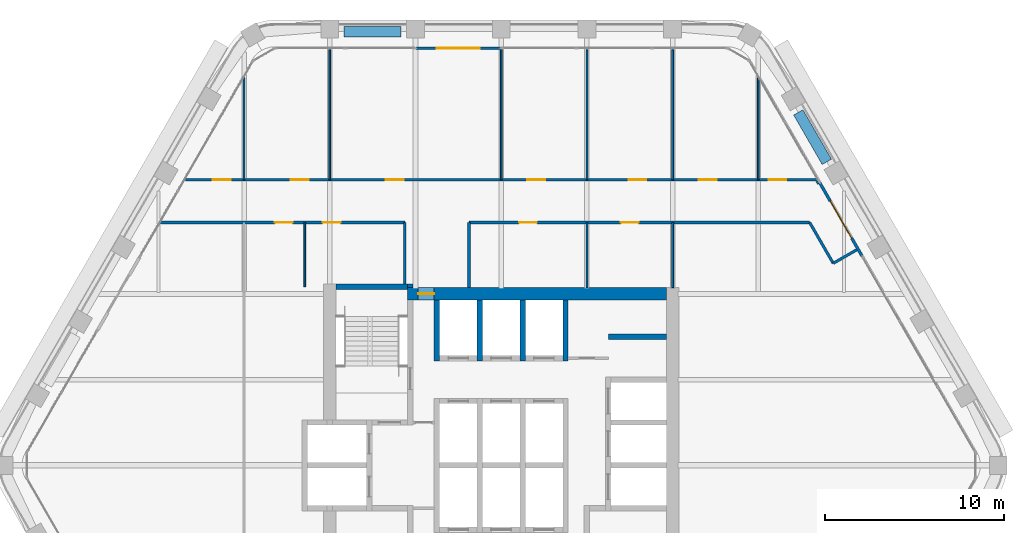
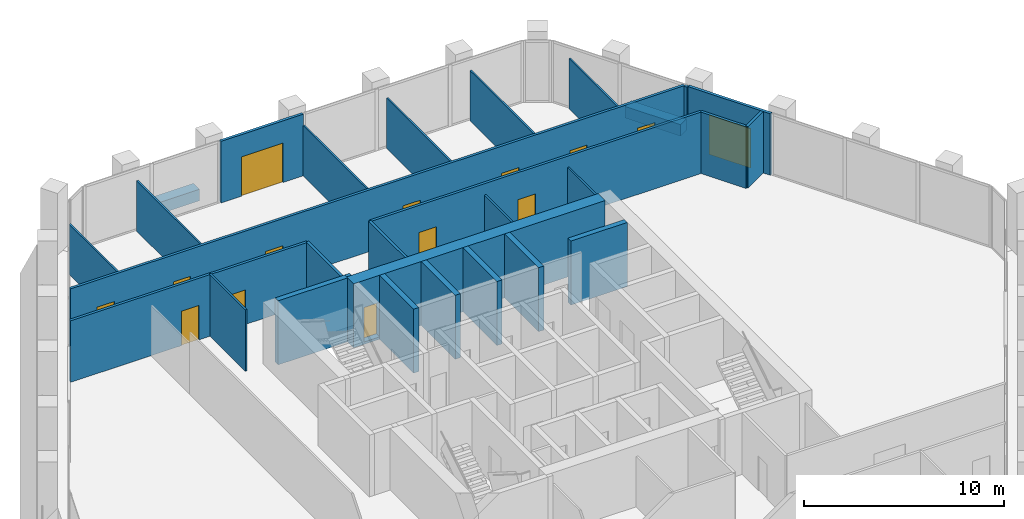
# One storey, part 11 of 15: 29 walls, 14 doors, 14 openings.
"""IFC4 building model written with IfcOpenShell, lengths in metres."""

from ifc_helpers import new_model, si_unit, direction, frame, frame_2d, origin, place, context, subcontext, project, spatial, rectangle, extrude, material, layer, layer_set, type_object, element, fill, save


model = new_model("IFC4")

# Units and contexts
model_context = context("Model", 3, precision=1e-05, world=origin(), true_north=direction((0.0, 1.0)))
body_context = subcontext(model_context, "Body", "Model", "MODEL_VIEW")
ifc_project = project(units=[si_unit("LENGTHUNIT", "METRE"), si_unit("AREAUNIT", "SQUARE_METRE"), si_unit("VOLUMEUNIT", "CUBIC_METRE"), si_unit("PLANEANGLEUNIT", "RADIAN"), si_unit("MASSUNIT", "GRAM", prefix="KILO")], contexts=[model_context])

# Site, building, storey
site_placement = place(None, origin())
site = spatial("IfcSite", under=ifc_project, at=site_placement, CompositionType="ELEMENT")
building_placement = place(site_placement, origin())
building = spatial("IfcBuilding", under=site, at=building_placement, Name="Kolab Exchange Tower", CompositionType="ELEMENT")
storey_placement = place(building_placement, frame((0.0, 0.0, 205.10009765625)))
storey = spatial("IfcBuildingStorey", under=building, at=storey_placement, Name="L44", CompositionType="ELEMENT", Elevation=205.10009765625)

# Wall, opening, door
ifc_material_1 = material(Name="Concrete C60/75", Category="concrete")
ifc_layer_1 = layer(ifc_material_1, 0.699951171875)
ifc_layer_set_1 = layer_set([ifc_layer_1], Name="Concrete C60/75")
wall_type_1 = type_object("IfcWallType", Name="CORE WALL 700 C60/75", PredefinedType="SHEAR", material=ifc_layer_set_1)
wall_1_placement = place(storey_placement, frame((-5.25, 9.60009765625, -0.150146484375), z_axis=(0.0, 0.0, 1.0), x_axis=(1.0, 0.0, 0.0)))
wall_1 = element("IfcWall", 1, at=wall_1_placement, inside=storey, type_object=wall_type_1, Name="wall/L44/core/031", PredefinedType="SHEAR", context=body_context, shape_type="SweptSolid", body=[
    extrude(rectangle(XDim=14.5, YDim=0.699951171875, at=frame_2d((7.25, 0.0))), origin(), (0.0, 0.0, 1.0), 3.900146484375),
])
opening_1_placement = place(wall_1_placement, frame((0.60009765625, 0.0, 0.14990234375)))
opening_1 = element("IfcOpeningElement", 2, at=opening_1_placement, cuts=wall_1, Name="Opening D6-289", PredefinedType="OPENING", context=body_context, shape_type="SweptSolid", body=[
    extrude(rectangle(XDim=0.89990234375, YDim=2.10009765625, at=frame_2d((0.449951171875, 1.050048828125))), frame((0.0, 0.35986328125, 0.0), z_axis=(0.0, -1.0, 0.0), x_axis=(1.0, 0.0, 0.0)), (0.0, 0.0, 1.0), 0.719970703125),
])
ifc_material_2 = material(Name="Steel S235", Category="steel")
door_type_1 = type_object("IfcDoorType", Name="CORE DOOR 900 EI 120", OperationType="SINGLE_SWING_LEFT", PredefinedType="DOOR", material=ifc_material_2)
door_1_placement = place(opening_1_placement, frame((0.89990234375, 0.0, 0.0), z_axis=(0.0, 0.0, 1.0), x_axis=(-1.0, 0.0, 0.0)))
door_1 = element("IfcDoor", 3, at=door_1_placement, inside=storey, type_object=door_type_1, Name="Core lobby door", OperationType="SINGLE_SWING_RIGHT", OverallHeight=2.10009765625, OverallWidth=0.89990234375, PredefinedType="DOOR", context=body_context, shape_type="SweptSolid", body=[
    extrude(rectangle(XDim=0.89990234375, YDim=2.10009765625, at=frame_2d((0.449951171875, 1.050048828125))), frame((0.0, 0.02490234375, 0.0), z_axis=(0.0, -1.0, 0.0), x_axis=(1.0, 0.0, 0.0)), (0.0, 0.0, 1.0), 0.050048828125),
])
fill(opening_1, door_1)

ifc_material_3 = material(Name="Aluminium EN AW-6063 T6", Category="aluminium")
ifc_layer_2 = layer(ifc_material_3, 0.159912109375)
ifc_layer_set_2 = layer_set([ifc_layer_2], Name="Aluminium EN AW-6063 T6")
wall_type_2 = type_object("IfcWallType", Name="DOOR SURROUND WALL 160 ALUMINIUM FRAMED", PredefinedType="PARTITIONING", material=ifc_layer_set_2)
wall_2_placement = place(storey_placement, frame((-4.77001953125, 23.361572265625, 0.0), z_axis=(0.0, 0.0, 1.0), x_axis=(1.0, 0.0, 0.0)))
wall_2 = element("IfcWall", 4, at=wall_2_placement, inside=storey, type_object=wall_type_2, Name="Door surround wall", PredefinedType="PARTITIONING", context=body_context, shape_type="SweptSolid", body=[
    extrude(rectangle(XDim=4.739990234375, YDim=0.159912109375, at=frame_2d((2.3701171875, 0.0))), origin(), (0.0, 0.0, 1.0), 3.75),
])
opening_2_placement = place(wall_2_placement, frame((1.169921875, 0.0, 0.0)))
opening_2 = element("IfcOpeningElement", 5, at=opening_2_placement, cuts=wall_2, Name="Opening GD1-064", PredefinedType="OPENING", context=body_context, shape_type="SweptSolid", body=[
    extrude(rectangle(XDim=2.39990234375, YDim=2.39990234375, at=frame_2d((1.199951171875, 1.199951171875))), frame((0.0, 0.08984375, 0.0), z_axis=(0.0, -1.0, 0.0), x_axis=(1.0, 0.0, 0.0)), (0.0, 0.0, 1.0), 0.179931640625),
])
door_type_2 = type_object("IfcDoorType", Name="LOGGIA SLIDING GLASS DOOR 2400 X 2400", OperationType="DOUBLE_DOOR_SINGLE_SWING", PredefinedType="DOOR", material=ifc_material_3)
door_2_placement = place(opening_2_placement, origin())
door_2 = element("IfcDoor", 6, at=door_2_placement, inside=storey, type_object=door_type_2, Name="Loggia door", OperationType="DOUBLE_DOOR_SLIDING", OverallHeight=2.39990234375, OverallWidth=2.39990234375, PredefinedType="DOOR", context=body_context, shape_type="SweptSolid", body=[
    extrude(rectangle(XDim=2.39990234375, YDim=2.39990234375, at=frame_2d((1.199951171875, 1.199951171875))), frame((0.0, 0.02490234375, 0.0), z_axis=(0.0, -1.0, 0.0), x_axis=(1.0, 0.0, 0.0)), (0.0, 0.0, 1.0), 0.050048828125),
])
fill(opening_2, door_2)

wall_3_placement = place(storey_placement, frame((17.8466796875, 15.811767578125, 0.0), z_axis=(0.0, 0.0, 1.0), x_axis=(0.5000167099, -0.866015756104, 0.0)))
wall_3 = element("IfcWall", 7, at=wall_3_placement, inside=storey, type_object=wall_type_2, Name="Door surround wall", PredefinedType="PARTITIONING", context=body_context, shape_type="SweptSolid", body=[
    extrude(rectangle(XDim=4.739990234375, YDim=0.159912109375, at=frame_2d((2.3701171875, 0.0))), origin(), (0.0, 0.0, 1.0), 3.75),
])
opening_3_placement = place(wall_3_placement, frame((1.169921875, 0.0, 0.0)))
opening_3 = element("IfcOpeningElement", 8, at=opening_3_placement, cuts=wall_3, Name="Opening GD1-065", PredefinedType="OPENING", context=body_context, shape_type="SweptSolid", body=[
    extrude(rectangle(XDim=2.39990234375, YDim=2.39990234375, at=frame_2d((1.199951171875, 1.199951171875))), frame((0.0, 0.08984375, 0.0), z_axis=(0.0, -1.0, 0.0), x_axis=(1.0, 0.0, 0.0)), (0.0, 0.0, 1.0), 0.179931640625),
])
door_3_placement = place(opening_3_placement, origin())
door_3 = element("IfcDoor", 9, at=door_3_placement, inside=storey, type_object=door_type_2, Name="Loggia door", OperationType="DOUBLE_DOOR_SLIDING", OverallHeight=2.39990234375, OverallWidth=2.39990234375, PredefinedType="DOOR", context=body_context, shape_type="SweptSolid", body=[
    extrude(rectangle(XDim=2.39990234375, YDim=2.39990234375, at=frame_2d((1.199951171875, 1.199951171875))), frame((0.0, 0.02490234375, 0.0), z_axis=(0.0, -1.0, 0.0), x_axis=(1.0, 0.0, 0.0)), (0.0, 0.0, 1.0), 0.050048828125),
])
fill(opening_3, door_3)

# Walls
wall_4_placement = place(storey_placement, frame((17.780029296875, 15.772216796875, 0.0), z_axis=(0.0, 0.0, 1.0), x_axis=(-0.499841654076, 0.866116805547, 0.0)))
element("IfcWall", 10, at=wall_4_placement, inside=storey, type_object=wall_type_2, Name="Door surround wall", PredefinedType="PARTITIONING", context=body_context, shape_type="SweptSolid", body=[
    extrude(rectangle(XDim=0.17724609375, YDim=0.159912109375, at=frame_2d((0.088623046875, 0.0))), origin(), (0.0, 0.0, 1.0), 3.75),
])
ifc_material_4 = material(Name="Concrete C50/60", Category="concrete")
ifc_layer_3 = layer(ifc_material_4, 0.300048828125)
ifc_layer_set_3 = layer_set([ifc_layer_3], Name="Concrete C50/60")
wall_type_3 = type_object("IfcWallType", Name="LIFT SHAFT WALL 300 C50/60", PredefinedType="STANDARD", material=ifc_layer_set_3)
wall_5_placement = place(storey_placement, frame((6.0, 7.199951171875, -0.150146484375), z_axis=(0.0, 0.0, 1.0), x_axis=(1.0, 0.0, 0.0)))
element("IfcWall", 11, at=wall_5_placement, inside=storey, type_object=wall_type_3, Name="wall/L44/core/030", PredefinedType="STANDARD", context=body_context, shape_type="SweptSolid", body=[
    extrude(rectangle(XDim=3.25, YDim=0.300048828125, at=frame_2d((1.625, 0.0))), origin(), (0.0, 0.0, 1.0), 3.900146484375),
])
for number, where, z_axis, x_axis, name in (
    (12, (-3.60009765625, 5.85009765625, -0.150146484375), (0.0, 0.0, 1.0), (0.0, 1.0, 0.0), "wall/L44/core/045"),
    (13, (-1.199951171875, 5.85009765625, -0.150146484375), (0.0, 0.0, 1.0), (0.0, 1.0, 0.0), "wall/L44/core/048"),
    (14, (1.199951171875, 5.85009765625, -0.150146484375), (0.0, 0.0, 1.0), (0.0, 1.0, 0.0), "wall/L44/core/051"),
    (15, (3.60009765625, 5.85009765625, -0.150146484375), (0.0, 0.0, 1.0), (0.0, 1.0, 0.0), "wall/L44/core/054"),
):
    element("IfcWall", number, at=place(storey_placement, frame(where, z_axis=z_axis, x_axis=x_axis)), inside=storey, type_object=wall_type_3, Name=name, PredefinedType="STANDARD", context=body_context, shape_type="SweptSolid", body=[
        extrude(rectangle(XDim=3.39990234375, YDim=0.300048828125, at=frame_2d((1.699951171875, 0.0))), origin(), (0.0, 0.0, 1.0), 3.900146484375),
    ])
ifc_material_5 = material(Name="Gypsum board", Category="gypsum")
ifc_layer_4 = layer(ifc_material_5, 0.10009765625)
ifc_layer_set_4 = layer_set([ifc_layer_4], Name="Gypsum board")
wall_type_4 = type_object("IfcWallType", Name="PARTITION 100", PredefinedType="PARTITIONING", material=ifc_layer_set_4)
wall_6_placement = place(storey_placement, frame((14.39990234375, 16.0, 0.0), z_axis=(0.0, 0.0, 1.0), x_axis=(0.0, 1.0, 0.0)))
element("IfcWall", 16, at=wall_6_placement, inside=storey, type_object=wall_type_4, Name="Partition 000", PredefinedType="PARTITIONING", context=body_context, shape_type="SweptSolid", body=[
    extrude(rectangle(XDim=5.701416015625, YDim=0.10009765625, at=frame_2d((2.8505859375, 0.0))), origin(), (0.0, 0.0, 1.0), 3.06591796875),
])
wall_7_placement = place(storey_placement, frame((9.60009765625, 9.949951171875, 0.0), z_axis=(0.0, 0.0, 1.0), x_axis=(0.0, 1.0, 0.0)))
element("IfcWall", 17, at=wall_7_placement, inside=storey, type_object=wall_type_4, Name="Partition 003", PredefinedType="PARTITIONING", context=body_context, shape_type="SweptSolid", body=[
    extrude(rectangle(XDim=3.650146484375, YDim=0.10009765625, at=frame_2d((1.8251953125, 0.0))), origin(), (0.0, 0.0, 1.0), 3.06591796875),
])
wall_8_placement = place(storey_placement, frame((9.60009765625, 16.0, 0.0), z_axis=(0.0, 0.0, 1.0), x_axis=(0.0, 1.0, 0.0)))
element("IfcWall", 18, at=wall_8_placement, inside=storey, type_object=wall_type_4, Name="Partition 004", PredefinedType="PARTITIONING", context=body_context, shape_type="SweptSolid", body=[
    extrude(rectangle(XDim=7.271484375, YDim=0.10009765625, at=frame_2d((3.6357421875, 0.0))), origin(), (0.0, 0.0, 1.0), 3.06591796875),
])
wall_9_placement = place(storey_placement, frame((4.800048828125, 9.949951171875, 0.0), z_axis=(0.0, 0.0, 1.0), x_axis=(0.0, 1.0, 0.0)))
element("IfcWall", 19, at=wall_9_placement, inside=storey, type_object=wall_type_4, Name="Partition 006", PredefinedType="PARTITIONING", context=body_context, shape_type="SweptSolid", body=[
    extrude(rectangle(XDim=3.650146484375, YDim=0.10009765625, at=frame_2d((1.8251953125, 0.0))), origin(), (0.0, 0.0, 1.0), 3.06591796875),
])
wall_10_placement = place(storey_placement, frame((4.800048828125, 16.0, 0.0), z_axis=(0.0, 0.0, 1.0), x_axis=(0.0, 1.0, 0.0)))
element("IfcWall", 20, at=wall_10_placement, inside=storey, type_object=wall_type_4, Name="Partition 007", PredefinedType="PARTITIONING", context=body_context, shape_type="SweptSolid", body=[
    extrude(rectangle(XDim=7.271484375, YDim=0.10009765625, at=frame_2d((3.6357421875, 0.0))), origin(), (0.0, 0.0, 1.0), 3.06591796875),
])
wall_11_placement = place(storey_placement, frame((0.0, 16.0, 0.0), z_axis=(0.0, 0.0, 1.0), x_axis=(0.0, 1.0, 0.0)))
element("IfcWall", 21, at=wall_11_placement, inside=storey, type_object=wall_type_4, Name="Partition 011", PredefinedType="PARTITIONING", context=body_context, shape_type="SweptSolid", body=[
    extrude(rectangle(XDim=7.281494140625, YDim=0.10009765625, at=frame_2d((3.640625, 0.0))), origin(), (0.0, 0.0, 1.0), 3.06591796875),
])
wall_12_placement = place(storey_placement, frame((-9.60009765625, 16.0, 0.0), z_axis=(0.0, 0.0, 1.0), x_axis=(0.0, 1.0, 0.0)))
element("IfcWall", 22, at=wall_12_placement, inside=storey, type_object=wall_type_4, Name="Partition 018", PredefinedType="PARTITIONING", context=body_context, shape_type="SweptSolid", body=[
    extrude(rectangle(XDim=7.271484375, YDim=0.10009765625, at=frame_2d((3.6357421875, 0.0))), origin(), (0.0, 0.0, 1.0), 3.06591796875),
])
wall_13_placement = place(storey_placement, frame((-11.0, 10.0, 0.0), z_axis=(0.0, 0.0, 1.0), x_axis=(0.0, 1.0, 0.0)))
element("IfcWall", 23, at=wall_13_placement, inside=storey, type_object=wall_type_4, Name="Partition 021", PredefinedType="PARTITIONING", context=body_context, shape_type="SweptSolid", body=[
    extrude(rectangle(XDim=3.60009765625, YDim=0.10009765625, at=frame_2d((1.800048828125, 0.0))), origin(), (0.0, 0.0, 1.0), 3.75),
])
wall_14_placement = place(storey_placement, frame((-14.39990234375, 16.0, 0.0), z_axis=(0.0, 0.0, 1.0), x_axis=(0.0, 1.0, 0.0)))
element("IfcWall", 24, at=wall_14_placement, inside=storey, type_object=wall_type_4, Name="Partition 023", PredefinedType="PARTITIONING", context=body_context, shape_type="SweptSolid", body=[
    extrude(rectangle(XDim=5.701416015625, YDim=0.10009765625, at=frame_2d((2.8505859375, 0.0))), origin(), (0.0, 0.0, 1.0), 3.06591796875),
])
ifc_layer_5 = layer(ifc_material_5, 0.14990234375)
ifc_layer_set_5 = layer_set([ifc_layer_5], Name="Gypsum board")
wall_type_5 = type_object("IfcWallType", Name="PARTITION 150 FIRE-RATED", PredefinedType="PARTITIONING", material=ifc_layer_set_5)
wall_15_placement = place(storey_placement, frame((-1.800048828125, 9.949951171875, 0.0), z_axis=(0.0, 0.0, 1.0), x_axis=(0.0, 1.0, 0.0)))
element("IfcWall", 25, at=wall_15_placement, inside=storey, type_object=wall_type_5, Name="Partition 012", PredefinedType="PARTITIONING", context=body_context, shape_type="SweptSolid", body=[
    extrude(rectangle(XDim=3.650146484375, YDim=0.14990234375, at=frame_2d((1.8251953125, 0.0))), origin(), (0.0, 0.0, 1.0), 3.75),
])
wall_16_placement = place(storey_placement, frame((-5.39990234375, 10.14990234375, 0.0), z_axis=(0.0, 0.0, 1.0), x_axis=(0.0, 1.0, 0.0)))
element("IfcWall", 26, at=wall_16_placement, inside=storey, type_object=wall_type_5, Name="Partition 016", PredefinedType="PARTITIONING", context=body_context, shape_type="SweptSolid", body=[
    extrude(rectangle(XDim=3.4501953125, YDim=0.14990234375, at=frame_2d((1.72509765625, 0.0))), origin(), (0.0, 0.0, 1.0), 3.75),
])
wall_17_placement = place(storey_placement, frame((17.276123046875, 13.60009765625, 0.0), z_axis=(0.0, 0.0, 1.0), x_axis=(0.499938597367, -0.866060851709, 0.0)))
element("IfcWall", 27, at=wall_17_placement, inside=storey, type_object=wall_type_5, Name="Partition 025", PredefinedType="PARTITIONING", context=body_context, shape_type="SweptSolid", body=[
    extrude(rectangle(XDim=2.639892578125, YDim=0.14990234375, at=frame_2d((1.31982421875, 0.0))), origin(), (0.0, 0.0, 1.0), 3.75),
])
wall_18_placement = place(storey_placement, frame((18.595947265625, 11.313720703125, 0.0), z_axis=(0.0, 0.0, 1.0), x_axis=(0.866030456496, 0.499991248344, 0.0)))
element("IfcWall", 28, at=wall_18_placement, inside=storey, type_object=wall_type_5, Name="Partition 027", PredefinedType="PARTITIONING", context=body_context, shape_type="SweptSolid", body=[
    extrude(rectangle(XDim=1.52001953125, YDim=0.14990234375, at=frame_2d((0.760009765625, 0.0))), origin(), (0.0, 0.0, 1.0), 3.75),
])

# Wall, openings, doors
wall_19_placement = place(storey_placement, frame((-19.077392578125, 13.60009765625, 0.0), z_axis=(0.0, 0.0, 1.0), x_axis=(1.0, 0.0, 0.0)))
wall_19 = element("IfcWall", 29, at=wall_19_placement, inside=storey, type_object=wall_type_5, Name="Partition 034", PredefinedType="PARTITIONING", context=body_context, shape_type="SweptSolid", body=[
    extrude(rectangle(XDim=13.677490234375, YDim=0.14990234375, at=frame_2d((6.8388671875, 0.0))), origin(), (0.0, 0.0, 1.0), 3.75),
])
opening_4_placement = place(wall_19_placement, frame((9.08251953125, 0.0, 0.0)))
opening_4 = element("IfcOpeningElement", 30, at=opening_4_placement, cuts=wall_19, Name="Opening D1-570", PredefinedType="OPENING", context=body_context, shape_type="SweptSolid", body=[
    extrude(rectangle(XDim=1.0, YDim=2.10009765625, at=frame_2d((0.5, 1.050048828125))), frame((0.0, 0.0849609375, 0.0), z_axis=(0.0, -1.0, 0.0), x_axis=(1.0, 0.0, 0.0)), (0.0, 0.0, 1.0), 0.169921875),
])
opening_5_placement = place(wall_19_placement, frame((6.40234375, 0.0, 0.0)))
opening_5 = element("IfcOpeningElement", 31, at=opening_5_placement, cuts=wall_19, Name="Opening D1-493", PredefinedType="OPENING", context=body_context, shape_type="SweptSolid", body=[
    extrude(rectangle(XDim=1.0, YDim=2.10009765625, at=frame_2d((0.5, 1.050048828125))), frame((0.0, 0.0849609375, 0.0), z_axis=(0.0, -1.0, 0.0), x_axis=(1.0, 0.0, 0.0)), (0.0, 0.0, 1.0), 0.169921875),
])
door_type_3 = type_object("IfcDoorType", Name="FLUSH DOOR 1000 FD60", OperationType="SINGLE_SWING_LEFT", PredefinedType="DOOR", material=ifc_material_2)
door_4_placement = place(opening_4_placement, frame((1.0, 0.0, 0.0), z_axis=(0.0, 0.0, 1.0), x_axis=(-1.0, 0.0, 0.0)))
door_4 = element("IfcDoor", 32, at=door_4_placement, inside=storey, type_object=door_type_3, Name="Door L44-033", OperationType="SINGLE_SWING_LEFT", OverallHeight=2.10009765625, OverallWidth=1.0, PredefinedType="DOOR", context=body_context, shape_type="SweptSolid", body=[
    extrude(rectangle(XDim=1.0, YDim=2.10009765625, at=frame_2d((0.5, 1.050048828125))), frame((0.0, 0.02490234375, 0.0), z_axis=(0.0, -1.0, 0.0), x_axis=(1.0, 0.0, 0.0)), (0.0, 0.0, 1.0), 0.050048828125),
])
fill(opening_4, door_4)
door_5_placement = place(opening_5_placement, frame((1.0, 0.0, 0.0), z_axis=(0.0, 0.0, 1.0), x_axis=(-1.0, 0.0, 0.0)))
door_5 = element("IfcDoor", 33, at=door_5_placement, inside=storey, type_object=door_type_3, Name="Door L44-053", OperationType="SINGLE_SWING_RIGHT", OverallHeight=2.10009765625, OverallWidth=1.0, PredefinedType="DOOR", context=body_context, shape_type="SweptSolid", body=[
    extrude(rectangle(XDim=1.0, YDim=2.10009765625, at=frame_2d((0.5, 1.050048828125))), frame((0.0, 0.02490234375, 0.0), z_axis=(0.0, -1.0, 0.0), x_axis=(1.0, 0.0, 0.0)), (0.0, 0.0, 1.0), 0.050048828125),
])
fill(opening_5, door_5)

wall_20_placement = place(storey_placement, frame((-1.800048828125, 13.60009765625, 0.0), z_axis=(0.0, 0.0, 1.0), x_axis=(1.0, 0.0, 0.0)))
wall_20 = element("IfcWall", 34, at=wall_20_placement, inside=storey, type_object=wall_type_5, Name="Partition 035", PredefinedType="PARTITIONING", context=body_context, shape_type="SweptSolid", body=[
    extrude(rectangle(XDim=19.076171875, YDim=0.14990234375, at=frame_2d((9.5380859375, 0.0))), origin(), (0.0, 0.0, 1.0), 3.75),
])
opening_6_placement = place(wall_20_placement, frame((2.800048828125, 0.0, 0.0)))
opening_6 = element("IfcOpeningElement", 35, at=opening_6_placement, cuts=wall_20, Name="Opening D1-473", PredefinedType="OPENING", context=body_context, shape_type="SweptSolid", body=[
    extrude(rectangle(XDim=1.0, YDim=2.10009765625, at=frame_2d((0.5, 1.050048828125))), frame((0.0, 0.0849609375, 0.0), z_axis=(0.0, -1.0, 0.0), x_axis=(1.0, 0.0, 0.0)), (0.0, 0.0, 1.0), 0.169921875),
])
opening_7_placement = place(wall_20_placement, frame((8.5, 0.0, 0.0)))
opening_7 = element("IfcOpeningElement", 36, at=opening_7_placement, cuts=wall_20, Name="Opening D1-569", PredefinedType="OPENING", context=body_context, shape_type="SweptSolid", body=[
    extrude(rectangle(XDim=1.0, YDim=2.10009765625, at=frame_2d((0.5, 1.050048828125))), frame((0.0, 0.0849609375, 0.0), z_axis=(0.0, -1.0, 0.0), x_axis=(1.0, 0.0, 0.0)), (0.0, 0.0, 1.0), 0.169921875),
])
door_6_placement = place(opening_6_placement, frame((1.0, 0.0, 0.0), z_axis=(0.0, 0.0, 1.0), x_axis=(-1.0, 0.0, 0.0)))
door_6 = element("IfcDoor", 37, at=door_6_placement, inside=storey, type_object=door_type_3, Name="Door L44-031", OperationType="SINGLE_SWING_LEFT", OverallHeight=2.10009765625, OverallWidth=1.0, PredefinedType="DOOR", context=body_context, shape_type="SweptSolid", body=[
    extrude(rectangle(XDim=1.0, YDim=2.10009765625, at=frame_2d((0.5, 1.050048828125))), frame((0.0, 0.02490234375, 0.0), z_axis=(0.0, -1.0, 0.0), x_axis=(1.0, 0.0, 0.0)), (0.0, 0.0, 1.0), 0.050048828125),
])
fill(opening_6, door_6)
door_7_placement = place(opening_7_placement, frame((1.0, 0.0, 0.0), z_axis=(0.0, 0.0, 1.0), x_axis=(-1.0, 0.0, 0.0)))
door_7 = element("IfcDoor", 38, at=door_7_placement, inside=storey, type_object=door_type_3, Name="Door L44-032", OperationType="SINGLE_SWING_RIGHT", OverallHeight=2.10009765625, OverallWidth=1.0, PredefinedType="DOOR", context=body_context, shape_type="SweptSolid", body=[
    extrude(rectangle(XDim=1.0, YDim=2.10009765625, at=frame_2d((0.5, 1.050048828125))), frame((0.0, 0.02490234375, 0.0), z_axis=(0.0, -1.0, 0.0), x_axis=(1.0, 0.0, 0.0)), (0.0, 0.0, 1.0), 0.050048828125),
])
fill(opening_7, door_7)

wall_21_placement = place(storey_placement, frame((-17.69189453125, 16.0, 0.0), z_axis=(0.0, 0.0, 1.0), x_axis=(1.0, 0.0, 0.0)))
wall_21 = element("IfcWall", 39, at=wall_21_placement, inside=storey, type_object=wall_type_5, Name="Partition 036", PredefinedType="PARTITIONING", context=body_context, shape_type="SweptSolid", body=[
    extrude(rectangle(XDim=35.3837890625, YDim=0.14990234375, at=frame_2d((17.69189453125, 0.0))), origin(), (0.0, 0.0, 1.0), 3.75),
])
opening_8_placement = place(wall_21_placement, frame((1.5341796875, 0.0, 0.0)))
opening_8 = element("IfcOpeningElement", 40, at=opening_8_placement, cuts=wall_21, Name="Opening D1-572", PredefinedType="OPENING", context=body_context, shape_type="SweptSolid", body=[
    extrude(rectangle(XDim=1.0, YDim=2.10009765625, at=frame_2d((0.5, 1.050048828125))), frame((0.0, 0.0849609375, 0.0), z_axis=(0.0, -1.0, 0.0), x_axis=(1.0, 0.0, 0.0)), (0.0, 0.0, 1.0), 0.169921875),
])
opening_9_placement = place(wall_21_placement, frame((5.916748046875, 0.0, 0.0)))
opening_9 = element("IfcOpeningElement", 41, at=opening_9_placement, cuts=wall_21, Name="Opening D1-573", PredefinedType="OPENING", context=body_context, shape_type="SweptSolid", body=[
    extrude(rectangle(XDim=1.0, YDim=2.10009765625, at=frame_2d((0.5, 1.050048828125))), frame((0.0, 0.0849609375, 0.0), z_axis=(0.0, -1.0, 0.0), x_axis=(1.0, 0.0, 0.0)), (0.0, 0.0, 1.0), 0.169921875),
])
opening_10_placement = place(wall_21_placement, frame((11.23681640625, 0.0, 0.0)))
opening_10 = element("IfcOpeningElement", 42, at=opening_10_placement, cuts=wall_21, Name="Opening D1-574", PredefinedType="OPENING", context=body_context, shape_type="SweptSolid", body=[
    extrude(rectangle(XDim=1.0, YDim=2.10009765625, at=frame_2d((0.5, 1.050048828125))), frame((0.0, 0.0849609375, 0.0), z_axis=(0.0, -1.0, 0.0), x_axis=(1.0, 0.0, 0.0)), (0.0, 0.0, 1.0), 0.169921875),
])
opening_11_placement = place(wall_21_placement, frame((19.15673828125, 0.0, 0.0)))
opening_11 = element("IfcOpeningElement", 43, at=opening_11_placement, cuts=wall_21, Name="Opening D1-575", PredefinedType="OPENING", context=body_context, shape_type="SweptSolid", body=[
    extrude(rectangle(XDim=1.0, YDim=2.10009765625, at=frame_2d((0.5, 1.050048828125))), frame((0.0, 0.0849609375, 0.0), z_axis=(0.0, -1.0, 0.0), x_axis=(1.0, 0.0, 0.0)), (0.0, 0.0, 1.0), 0.169921875),
])
opening_12_placement = place(wall_21_placement, frame((24.826904296875, 0.0, 0.0)))
opening_12 = element("IfcOpeningElement", 44, at=opening_12_placement, cuts=wall_21, Name="Opening D1-576", PredefinedType="OPENING", context=body_context, shape_type="SweptSolid", body=[
    extrude(rectangle(XDim=1.0, YDim=2.10009765625, at=frame_2d((0.5, 1.050048828125))), frame((0.0, 0.0849609375, 0.0), z_axis=(0.0, -1.0, 0.0), x_axis=(1.0, 0.0, 0.0)), (0.0, 0.0, 1.0), 0.169921875),
])
opening_13_placement = place(wall_21_placement, frame((28.7568359375, 0.0, 0.0)))
opening_13 = element("IfcOpeningElement", 45, at=opening_13_placement, cuts=wall_21, Name="Opening D1-577", PredefinedType="OPENING", context=body_context, shape_type="SweptSolid", body=[
    extrude(rectangle(XDim=1.0, YDim=2.10009765625, at=frame_2d((0.5, 1.050048828125))), frame((0.0, 0.0849609375, 0.0), z_axis=(0.0, -1.0, 0.0), x_axis=(1.0, 0.0, 0.0)), (0.0, 0.0, 1.0), 0.169921875),
])
opening_14_placement = place(wall_21_placement, frame((32.66650390625, 0.0, 0.0)))
opening_14 = element("IfcOpeningElement", 46, at=opening_14_placement, cuts=wall_21, Name="Opening D1-578", PredefinedType="OPENING", context=body_context, shape_type="SweptSolid", body=[
    extrude(rectangle(XDim=1.0, YDim=2.10009765625, at=frame_2d((0.5, 1.050048828125))), frame((0.0, 0.0849609375, 0.0), z_axis=(0.0, -1.0, 0.0), x_axis=(1.0, 0.0, 0.0)), (0.0, 0.0, 1.0), 0.169921875),
])
door_8_placement = place(opening_8_placement, origin())
door_8 = element("IfcDoor", 47, at=door_8_placement, inside=storey, type_object=door_type_3, Name="Door L44-038", OperationType="SINGLE_SWING_RIGHT", OverallHeight=2.10009765625, OverallWidth=1.0, PredefinedType="DOOR", context=body_context, shape_type="SweptSolid", body=[
    extrude(rectangle(XDim=1.0, YDim=2.10009765625, at=frame_2d((0.5, 1.050048828125))), frame((0.0, 0.02490234375, 0.0), z_axis=(0.0, -1.0, 0.0), x_axis=(1.0, 0.0, 0.0)), (0.0, 0.0, 1.0), 0.050048828125),
])
fill(opening_8, door_8)
door_9_placement = place(opening_9_placement, origin())
door_9 = element("IfcDoor", 48, at=door_9_placement, inside=storey, type_object=door_type_3, Name="Door L44-039", OperationType="SINGLE_SWING_RIGHT", OverallHeight=2.10009765625, OverallWidth=1.0, PredefinedType="DOOR", context=body_context, shape_type="SweptSolid", body=[
    extrude(rectangle(XDim=1.0, YDim=2.10009765625, at=frame_2d((0.5, 1.050048828125))), frame((0.0, 0.02490234375, 0.0), z_axis=(0.0, -1.0, 0.0), x_axis=(1.0, 0.0, 0.0)), (0.0, 0.0, 1.0), 0.050048828125),
])
fill(opening_9, door_9)
door_10_placement = place(opening_10_placement, origin())
door_10 = element("IfcDoor", 49, at=door_10_placement, inside=storey, type_object=door_type_3, Name="Door L44-040", OperationType="SINGLE_SWING_LEFT", OverallHeight=2.10009765625, OverallWidth=1.0, PredefinedType="DOOR", context=body_context, shape_type="SweptSolid", body=[
    extrude(rectangle(XDim=1.0, YDim=2.10009765625, at=frame_2d((0.5, 1.050048828125))), frame((0.0, 0.02490234375, 0.0), z_axis=(0.0, -1.0, 0.0), x_axis=(1.0, 0.0, 0.0)), (0.0, 0.0, 1.0), 0.050048828125),
])
fill(opening_10, door_10)
door_11_placement = place(opening_11_placement, origin())
door_11 = element("IfcDoor", 50, at=door_11_placement, inside=storey, type_object=door_type_3, Name="Door L44-041", OperationType="SINGLE_SWING_LEFT", OverallHeight=2.10009765625, OverallWidth=1.0, PredefinedType="DOOR", context=body_context, shape_type="SweptSolid", body=[
    extrude(rectangle(XDim=1.0, YDim=2.10009765625, at=frame_2d((0.5, 1.050048828125))), frame((0.0, 0.02490234375, 0.0), z_axis=(0.0, -1.0, 0.0), x_axis=(1.0, 0.0, 0.0)), (0.0, 0.0, 1.0), 0.050048828125),
])
fill(opening_11, door_11)
door_12_placement = place(opening_12_placement, origin())
door_12 = element("IfcDoor", 51, at=door_12_placement, inside=storey, type_object=door_type_3, Name="Door L44-042", OperationType="SINGLE_SWING_RIGHT", OverallHeight=2.10009765625, OverallWidth=1.0, PredefinedType="DOOR", context=body_context, shape_type="SweptSolid", body=[
    extrude(rectangle(XDim=1.0, YDim=2.10009765625, at=frame_2d((0.5, 1.050048828125))), frame((0.0, 0.02490234375, 0.0), z_axis=(0.0, -1.0, 0.0), x_axis=(1.0, 0.0, 0.0)), (0.0, 0.0, 1.0), 0.050048828125),
])
fill(opening_12, door_12)
door_13_placement = place(opening_13_placement, origin())
door_13 = element("IfcDoor", 52, at=door_13_placement, inside=storey, type_object=door_type_3, Name="Door L44-043", OperationType="SINGLE_SWING_LEFT", OverallHeight=2.10009765625, OverallWidth=1.0, PredefinedType="DOOR", context=body_context, shape_type="SweptSolid", body=[
    extrude(rectangle(XDim=1.0, YDim=2.10009765625, at=frame_2d((0.5, 1.050048828125))), frame((0.0, 0.02490234375, 0.0), z_axis=(0.0, -1.0, 0.0), x_axis=(1.0, 0.0, 0.0)), (0.0, 0.0, 1.0), 0.050048828125),
])
fill(opening_13, door_13)
door_14_placement = place(opening_14_placement, origin())
door_14 = element("IfcDoor", 53, at=door_14_placement, inside=storey, type_object=door_type_3, Name="Door L44-044", OperationType="SINGLE_SWING_LEFT", OverallHeight=2.10009765625, OverallWidth=1.0, PredefinedType="DOOR", context=body_context, shape_type="SweptSolid", body=[
    extrude(rectangle(XDim=1.0, YDim=2.10009765625, at=frame_2d((0.5, 1.050048828125))), frame((0.0, 0.02490234375, 0.0), z_axis=(0.0, -1.0, 0.0), x_axis=(1.0, 0.0, 0.0)), (0.0, 0.0, 1.0), 0.050048828125),
])
fill(opening_14, door_14)

# Walls
ifc_material_6 = material(Name="Granite facing", Category="masonry")
ifc_layer_6 = layer(ifc_material_6, 0.0400390625)
ifc_material_7 = material(Name="Concrete C40/50 precast", Category="concrete")
ifc_layer_7 = layer(ifc_material_7, 0.56005859375)
ifc_layer_set_6 = layer_set([ifc_layer_6, ifc_layer_7], Name="Concrete C40/50 precast")
wall_type_6 = type_object("IfcWallType", Name="PLANTER BOX 600 X 700 SOIL DEPTH 550", PredefinedType="USERDEFINED", material=ifc_layer_set_6)
for number, where, z_axis, x_axis, name in (
    (54, (-8.800048828125, 24.29150390625, 0.0), (0.0, 0.0, 1.0), (1.0, 0.0, 0.0), "Planter"),
    (55, (16.636962890625, 19.766845703125, 0.0), (0.0, 0.0, 1.0), (0.500028443584, -0.866008981251, 0.0), "Planter"),
):
    element("IfcWall", number, at=place(storey_placement, frame(where, z_axis=z_axis, x_axis=x_axis)), inside=storey, type_object=wall_type_6, Name=name, ObjectType="PLANTER", PredefinedType="USERDEFINED", context=body_context, shape_type="SweptSolid", body=[
        extrude(rectangle(XDim=3.199951171875, YDim=0.60009765625, at=frame_2d((1.60009765625, 0.0))), origin(), (0.0, 0.0, 1.0), 0.699951171875),
    ])
ifc_layer_8 = layer(ifc_material_4, 0.300048828125)
ifc_layer_set_7 = layer_set([ifc_layer_8], Name="Concrete C50/60")
wall_type_7 = type_object("IfcWallType", Name="STAIR ENCLOSURE WALL 300 C50/60", PredefinedType="STANDARD", material=ifc_layer_set_7)
wall_22_placement = place(storey_placement, frame((-9.25, 10.0, -0.150146484375), z_axis=(0.0, 0.0, 1.0), x_axis=(1.0, 0.0, 0.0)))
element("IfcWall", 56, at=wall_22_placement, inside=storey, type_object=wall_type_7, Name="wall/L44/core/032", PredefinedType="STANDARD", context=body_context, shape_type="SweptSolid", body=[
    extrude(rectangle(XDim=4.0, YDim=0.300048828125, at=frame_2d((2.0, 0.0))), origin(), (0.0, 0.0, 1.0), 3.900146484375),
])
wall_23_placement = place(storey_placement, frame((-5.10009765625, 9.949951171875, -0.150146484375), z_axis=(0.0, 0.0, 1.0), x_axis=(0.0, 1.0, 0.0)))
element("IfcWall", 57, at=wall_23_placement, inside=storey, type_object=wall_type_7, Name="wall/L44/core/042", PredefinedType="STANDARD", context=body_context, shape_type="SweptSolid", body=[
    extrude(rectangle(XDim=0.199951171875, YDim=0.300048828125, at=frame_2d((0.10009765625, 0.0))), origin(), (0.0, 0.0, 1.0), 3.900146484375),
])

save(model, "model.ifc")
